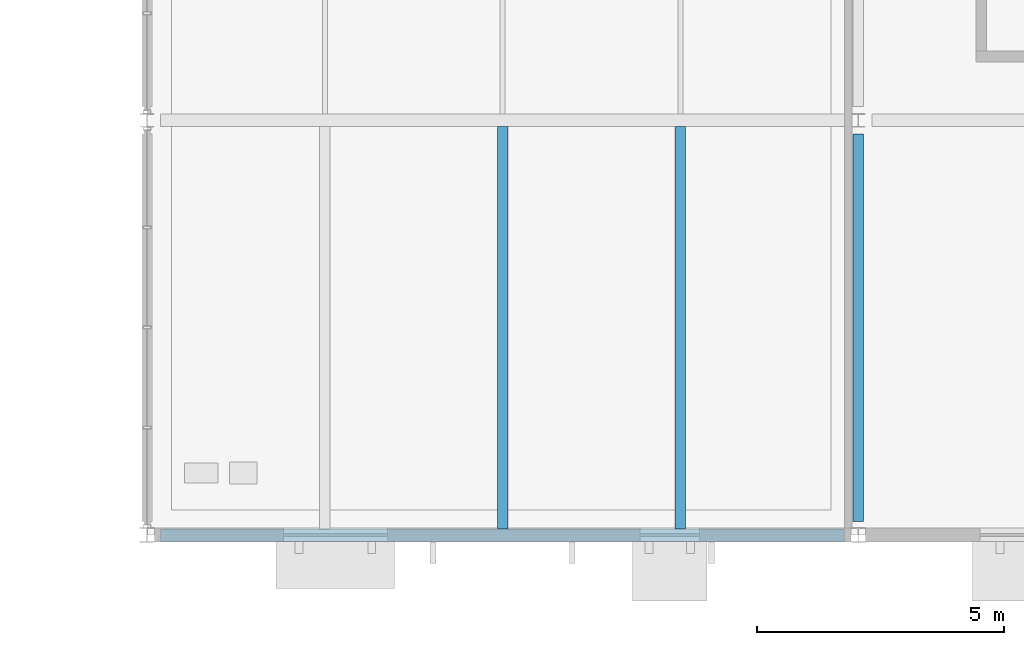
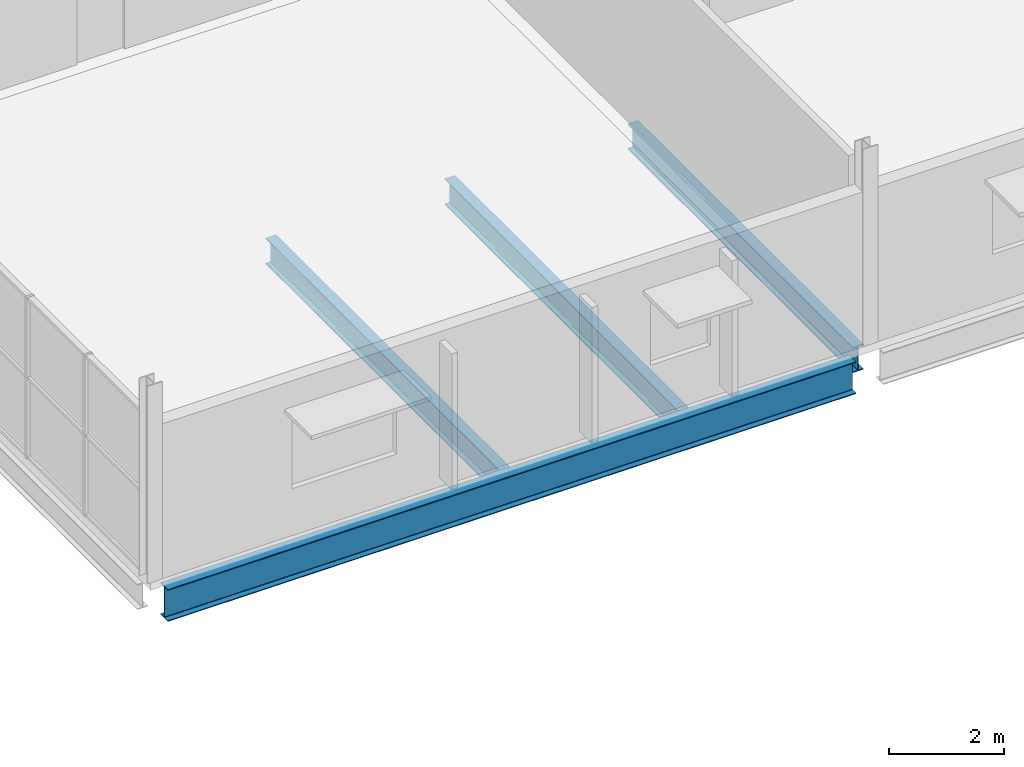
# One storey, part 39 of 161: 4 beams.
"""IFC4 building model written with IfcOpenShell, lengths in metres."""

from ifc_helpers import new_model, si_unit, direction, frame, origin, origin_2d, place, context, subcontext, project, spatial, i_section, extrude, material, material_profile, profile_set, type_object, element, save


model = new_model("IFC4")

# Units and contexts
model_context = context("Model", 3, precision=1e-05, world=origin(), true_north=direction((0.0, 1.0)))
body_context = subcontext(model_context, "Body", "Model", "MODEL_VIEW")
ifc_project = project(units=[si_unit("LENGTHUNIT", "METRE"), si_unit("AREAUNIT", "SQUARE_METRE"), si_unit("VOLUMEUNIT", "CUBIC_METRE"), si_unit("PLANEANGLEUNIT", "RADIAN"), si_unit("MASSUNIT", "GRAM", prefix="KILO"), si_unit("THERMODYNAMICTEMPERATUREUNIT", "KELVIN")], contexts=[model_context])

# Site, building, storey
site_placement = place(None, origin())
site = spatial("IfcSite", under=ifc_project, at=site_placement, CompositionType="ELEMENT")
building_placement = place(site_placement, origin())
building = spatial("IfcBuilding", under=site, at=building_placement, Name="Nduvali Passage Aquatics Centre", CompositionType="ELEMENT")
storey_placement = place(building_placement, frame((0.0, 0.0, 4.800048828125)))
storey = spatial("IfcBuildingStorey", under=building, at=storey_placement, Name="L01", CompositionType="ELEMENT", Elevation=4.800048828125)

# Beams
ifc_material = material(Name="Steel S355", Category="steel")
ifc_material_profile_1 = material_profile(ifc_material, i_section(OverallWidth=0.210693359375, OverallDepth=0.53955078125, WebThickness=0.01171875, FlangeThickness=0.018798828125, FilletRadius=0.0126953125, at=origin_2d()), Name="UKB 533x210x109")
ifc_profile_set_1 = profile_set([ifc_material_profile_1], Name="Steel S355")
beam_type_1 = type_object("IfcBeamType", Name="STR-BM-UKB533", PredefinedType="BEAM", material=ifc_profile_set_1)
beam_1_placement = place(storey_placement, frame((111.60009765625, 0.27490234375, -0.553955078125), z_axis=(0.0, 1.0, 0.0), x_axis=(-1.0, 0.0, 0.0)))
element("IfcBeam", 1, at=beam_1_placement, inside=storey, type_object=beam_type_1, Name="L01 Primary Y-Girder B6-0614", PredefinedType="BEAM", context=body_context, shape_type="SweptSolid", body=[
    extrude(i_section(OverallWidth=0.210693359375, OverallDepth=0.53955078125, WebThickness=0.01171875, FlangeThickness=0.018798828125, FilletRadius=0.0126953125, at=origin_2d()), origin(), (0.0, 0.0, 1.0), 7.85009765625),
])
ifc_material_profile_2 = material_profile(ifc_material, i_section(OverallWidth=0.253662109375, OverallDepth=0.68359375, WebThickness=0.012451171875, FlangeThickness=0.01904296875, FilletRadius=0.01513671875, at=origin_2d()), Name="UKB 686x254x140")
ifc_profile_set_2 = profile_set([ifc_material_profile_2], Name="Steel S355")
beam_type_2 = type_object("IfcBeamType", Name="STR-BM-UKB686-EXT", PredefinedType="BEAM", material=ifc_profile_set_2)
beam_2_placement = place(storey_placement, frame((97.47509765625, 0.0, -0.625732421875), z_axis=(1.0, 0.0, 0.0), x_axis=(0.0, 1.0, 0.0)))
element("IfcBeam", 2, at=beam_2_placement, inside=storey, type_object=beam_type_2, Name="L01 Primary X-Girder B4E-0428", PredefinedType="BEAM", context=body_context, shape_type="SweptSolid", body=[
    extrude(i_section(OverallWidth=0.253662109375, OverallDepth=0.68359375, WebThickness=0.012451171875, FlangeThickness=0.01904296875, FilletRadius=0.01513671875, at=origin_2d()), origin(), (0.0, 0.0, 1.0), 13.849853515625),
])
ifc_material_profile_3 = material_profile(ifc_material, i_section(OverallWidth=0.2099609375, OverallDepth=0.550048828125, WebThickness=0.010986328125, FlangeThickness=0.01708984375, FilletRadius=0.02392578125, at=origin_2d()), Name="IPE 550")
ifc_profile_set_3 = profile_set([ifc_material_profile_3], Name="Steel S355")
beam_type_3 = type_object("IfcBeamType", Name="STR-JST-IPE550", PredefinedType="JOIST", material=ifc_profile_set_3)
for number, where, z_axis, x_axis, name in (
    (3, (104.39990234375, 0.126708984375, -0.55908203125), (0.0, 1.0, 0.0), (-1.0, 0.0, 0.0), "L01 Secondary Joist J5C-0697"),
    (4, (108.0, 0.126708984375, -0.55908203125), (0.0, 1.0, 0.0), (-1.0, 0.0, 0.0), "L01 Secondary Joist J5C-0698"),
):
    element("IfcBeam", number, at=place(storey_placement, frame(where, z_axis=z_axis, x_axis=x_axis)), inside=storey, type_object=beam_type_3, Name=name, PredefinedType="JOIST", context=body_context, shape_type="SweptSolid", body=[
        extrude(i_section(OverallWidth=0.2099609375, OverallDepth=0.550048828125, WebThickness=0.010986328125, FlangeThickness=0.01708984375, FilletRadius=0.02392578125, at=origin_2d()), origin(), (0.0, 0.0, 1.0), 8.146484375),
    ])

save(model, "model.ifc")
